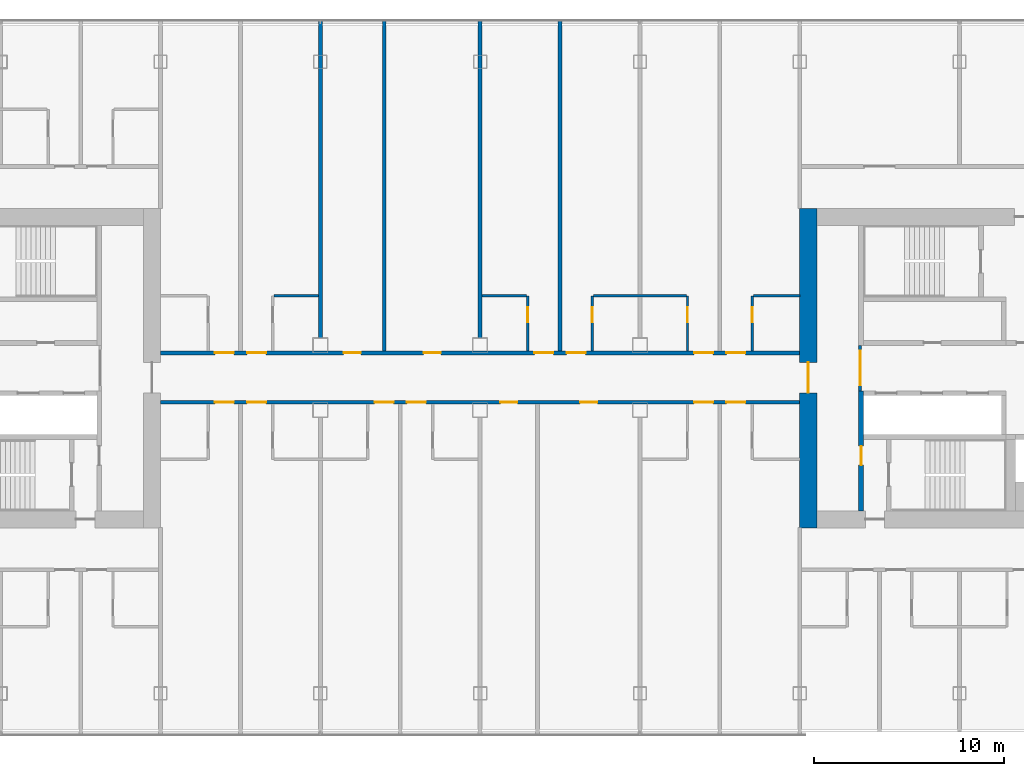
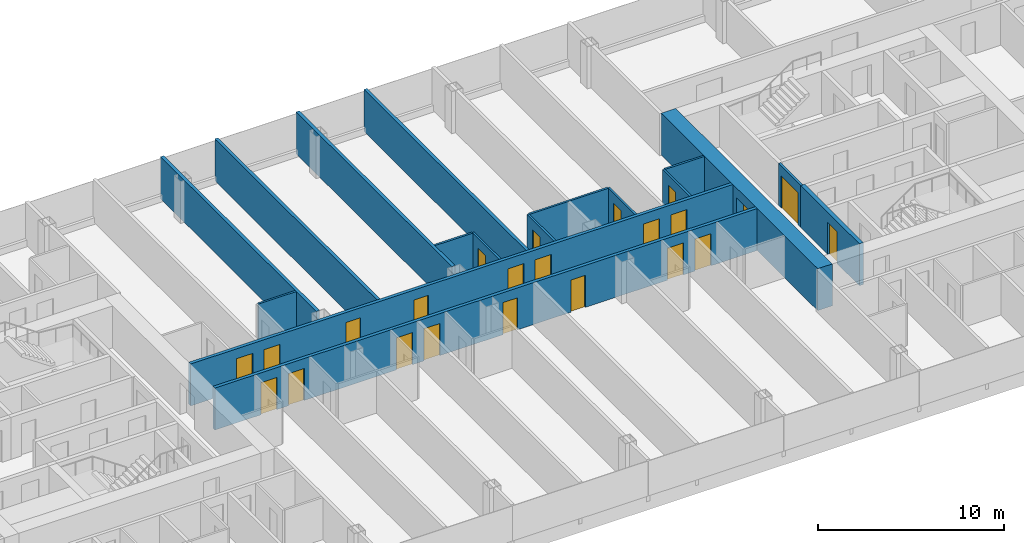
# One storey, part 15 of 27: 23 doors, 17 walls, 23 openings.
"""IFC4 building model written with IfcOpenShell, lengths in metres."""

from ifc_helpers import new_model, si_unit, direction, frame, frame_2d, origin, place, context, subcontext, project, spatial, rectangle, extrude, material, layer, layer_set, type_object, element, fill, save


model = new_model("IFC4")

# Units and contexts
model_context = context("Model", 3, precision=1e-05, world=origin(), true_north=direction((0.0, 1.0)))
body_context = subcontext(model_context, "Body", "Model", "MODEL_VIEW")
ifc_project = project(units=[si_unit("LENGTHUNIT", "METRE"), si_unit("AREAUNIT", "SQUARE_METRE"), si_unit("VOLUMEUNIT", "CUBIC_METRE"), si_unit("PLANEANGLEUNIT", "RADIAN"), si_unit("MASSUNIT", "GRAM", prefix="KILO")], contexts=[model_context])

# Site, building, storey
site_placement = place(None, origin())
site = spatial("IfcSite", under=ifc_project, at=site_placement, CompositionType="ELEMENT")
building_placement = place(site_placement, origin())
building = spatial("IfcBuilding", under=site, at=building_placement, Name="Hakoniwa Tower and Hamabe Station Hall", CompositionType="ELEMENT")
storey_placement = place(building_placement, frame((0.0, 0.0, 166.199951171875)))
storey = spatial("IfcBuildingStorey", under=building, at=storey_placement, Name="L47", CompositionType="ELEMENT", Elevation=166.199951171875)

# Walls
ifc_material_1 = material(Name="Gypsum board partition", Category="gypsum")
ifc_layer_1 = layer(ifc_material_1, 0.125)
ifc_layer_set_1 = layer_set([ifc_layer_1], Name="Bathroom Partition 125")
wall_type_1 = type_object("IfcWallType", Name="Bathroom Partition 125", PredefinedType="PARTITIONING", material=ifc_layer_set_1)
for number, where, z_axis, x_axis, name in (
    (1, (-10.83740234375, 3.800048828125, 0.0), (0.0, 0.0, 1.0), (1.0, 0.0, 0.0), "GW-L47-023"),
    (2, (0.10009765625, 3.800048828125, 0.0), (0.0, 0.0, 1.0), (1.0, 0.0, 0.0), "GW-L47-024"),
):
    element("IfcWall", number, at=place(storey_placement, frame(where, z_axis=z_axis, x_axis=x_axis)), inside=storey, type_object=wall_type_1, Name=name, PredefinedType="PARTITIONING", context=body_context, shape_type="SweptSolid", body=[
        extrude(rectangle(XDim=2.33740234375, YDim=0.125, at=frame_2d((1.168701171875, 0.0))), origin(), (0.0, 0.0, 1.0), 2.75),
    ])
wall_1_placement = place(storey_placement, frame((5.96240234375, 3.800048828125, 0.0), z_axis=(0.0, 0.0, 1.0), x_axis=(1.0, 0.0, 0.0)))
element("IfcWall", 3, at=wall_1_placement, inside=storey, type_object=wall_type_1, Name="GW-L47-025", PredefinedType="PARTITIONING", context=body_context, shape_type="SweptSolid", body=[
    extrude(rectangle(XDim=4.875, YDim=0.125, at=frame_2d((2.4375, 0.0))), origin(), (0.0, 0.0, 1.0), 2.75),
])
wall_2_placement = place(storey_placement, frame((14.362548828125, 3.800048828125, 0.0), z_axis=(0.0, 0.0, 1.0), x_axis=(1.0, 0.0, 0.0)))
element("IfcWall", 4, at=wall_2_placement, inside=storey, type_object=wall_type_1, Name="GW-L47-026", PredefinedType="PARTITIONING", context=body_context, shape_type="SweptSolid", body=[
    extrude(rectangle(XDim=2.447509765625, YDim=0.125, at=frame_2d((1.2236328125, 0.0))), origin(), (0.0, 0.0, 1.0), 2.75),
])

# Wall, opening, door
wall_3_placement = place(storey_placement, frame((2.5, 0.89990234375, 0.0), z_axis=(0.0, 0.0, 1.0), x_axis=(0.0, 1.0, 0.0)))
wall_3 = element("IfcWall", 5, at=wall_3_placement, inside=storey, type_object=wall_type_1, Name="GW-L47-076", PredefinedType="PARTITIONING", context=body_context, shape_type="SweptSolid", body=[
    extrude(rectangle(XDim=2.900146484375, YDim=0.125, at=frame_2d((1.4501953125, 0.0))), origin(), (0.0, 0.0, 1.0), 2.75),
])
opening_1_placement = place(wall_3_placement, frame((1.5, 0.0, 0.0)))
opening_1 = element("IfcOpeningElement", 6, at=opening_1_placement, cuts=wall_3, Name="Opening GD-G3B2-64", PredefinedType="OPENING", context=body_context, shape_type="SweptSolid", body=[
    extrude(rectangle(XDim=0.800048828125, YDim=2.10009765625, at=frame_2d((0.39990234375, 1.050048828125))), frame((0.0, 0.072509765625, 0.0), z_axis=(0.0, -1.0, 0.0), x_axis=(1.0, 0.0, 0.0)), (0.0, 0.0, 1.0), 0.14501953125),
])
ifc_material_2 = material(Name="Timber door leaf", Category="wood")
door_type_1 = type_object("IfcDoorType", Name="Bathroom Door 800", OperationType="SINGLE_SWING_LEFT", PredefinedType="DOOR", material=ifc_material_2)
door_1_placement = place(opening_1_placement, origin())
door_1 = element("IfcDoor", 7, at=door_1_placement, inside=storey, type_object=door_type_1, Name="Door GD-G3B2-64", OperationType="SINGLE_SWING_LEFT", OverallHeight=2.10009765625, OverallWidth=0.800048828125, PredefinedType="DOOR", context=body_context, shape_type="SweptSolid", body=[
    extrude(rectangle(XDim=0.800048828125, YDim=2.10009765625, at=frame_2d((0.39990234375, 1.050048828125))), frame((0.0, 0.02490234375, 0.0), z_axis=(0.0, -1.0, 0.0), x_axis=(1.0, 0.0, 0.0)), (0.0, 0.0, 1.0), 0.050048828125),
])
fill(opening_1, door_1)

wall_4_placement = place(storey_placement, frame((5.89990234375, 0.89990234375, 0.0), z_axis=(0.0, 0.0, 1.0), x_axis=(0.0, 1.0, 0.0)))
wall_4 = element("IfcWall", 8, at=wall_4_placement, inside=storey, type_object=wall_type_1, Name="GW-L47-079", PredefinedType="PARTITIONING", context=body_context, shape_type="SweptSolid", body=[
    extrude(rectangle(XDim=2.900146484375, YDim=0.125, at=frame_2d((1.4501953125, 0.0))), origin(), (0.0, 0.0, 1.0), 2.75),
])
opening_2_placement = place(wall_4_placement, frame((1.5, 0.0, 0.0)))
opening_2 = element("IfcOpeningElement", 9, at=opening_2_placement, cuts=wall_4, Name="Opening GD-G3B2-65", PredefinedType="OPENING", context=body_context, shape_type="SweptSolid", body=[
    extrude(rectangle(XDim=0.800048828125, YDim=2.10009765625, at=frame_2d((0.39990234375, 1.050048828125))), frame((0.0, 0.072509765625, 0.0), z_axis=(0.0, -1.0, 0.0), x_axis=(1.0, 0.0, 0.0)), (0.0, 0.0, 1.0), 0.14501953125),
])
door_2_placement = place(opening_2_placement, origin())
door_2 = element("IfcDoor", 10, at=door_2_placement, inside=storey, type_object=door_type_1, Name="Door GD-G3B2-65", OperationType="SINGLE_SWING_RIGHT", OverallHeight=2.10009765625, OverallWidth=0.800048828125, PredefinedType="DOOR", context=body_context, shape_type="SweptSolid", body=[
    extrude(rectangle(XDim=0.800048828125, YDim=2.10009765625, at=frame_2d((0.39990234375, 1.050048828125))), frame((0.0, 0.02490234375, 0.0), z_axis=(0.0, -1.0, 0.0), x_axis=(1.0, 0.0, 0.0)), (0.0, 0.0, 1.0), 0.050048828125),
])
fill(opening_2, door_2)

wall_5_placement = place(storey_placement, frame((10.89990234375, 0.89990234375, 0.0), z_axis=(0.0, 0.0, 1.0), x_axis=(0.0, 1.0, 0.0)))
wall_5 = element("IfcWall", 11, at=wall_5_placement, inside=storey, type_object=wall_type_1, Name="GW-L47-083", PredefinedType="PARTITIONING", context=body_context, shape_type="SweptSolid", body=[
    extrude(rectangle(XDim=2.900146484375, YDim=0.125, at=frame_2d((1.4501953125, 0.0))), origin(), (0.0, 0.0, 1.0), 2.75),
])
opening_3_placement = place(wall_5_placement, frame((1.5, 0.0, 0.0)))
opening_3 = element("IfcOpeningElement", 12, at=opening_3_placement, cuts=wall_5, Name="Opening GD-G3B2-67", PredefinedType="OPENING", context=body_context, shape_type="SweptSolid", body=[
    extrude(rectangle(XDim=0.800048828125, YDim=2.10009765625, at=frame_2d((0.39990234375, 1.050048828125))), frame((0.0, 0.072509765625, 0.0), z_axis=(0.0, -1.0, 0.0), x_axis=(1.0, 0.0, 0.0)), (0.0, 0.0, 1.0), 0.14501953125),
])
door_3_placement = place(opening_3_placement, origin())
door_3 = element("IfcDoor", 13, at=door_3_placement, inside=storey, type_object=door_type_1, Name="Door GD-G3B2-67", OperationType="SINGLE_SWING_LEFT", OverallHeight=2.10009765625, OverallWidth=0.800048828125, PredefinedType="DOOR", context=body_context, shape_type="SweptSolid", body=[
    extrude(rectangle(XDim=0.800048828125, YDim=2.10009765625, at=frame_2d((0.39990234375, 1.050048828125))), frame((0.0, 0.02490234375, 0.0), z_axis=(0.0, -1.0, 0.0), x_axis=(1.0, 0.0, 0.0)), (0.0, 0.0, 1.0), 0.050048828125),
])
fill(opening_3, door_3)

wall_6_placement = place(storey_placement, frame((14.300048828125, 0.89990234375, 0.0), z_axis=(0.0, 0.0, 1.0), x_axis=(0.0, 1.0, 0.0)))
wall_6 = element("IfcWall", 14, at=wall_6_placement, inside=storey, type_object=wall_type_1, Name="GW-L47-087", PredefinedType="PARTITIONING", context=body_context, shape_type="SweptSolid", body=[
    extrude(rectangle(XDim=2.900146484375, YDim=0.125, at=frame_2d((1.4501953125, 0.0))), origin(), (0.0, 0.0, 1.0), 2.75),
])
opening_4_placement = place(wall_6_placement, frame((1.5, 0.0, 0.0)))
opening_4 = element("IfcOpeningElement", 15, at=opening_4_placement, cuts=wall_6, Name="Opening GD-G3B2-69", PredefinedType="OPENING", context=body_context, shape_type="SweptSolid", body=[
    extrude(rectangle(XDim=0.800048828125, YDim=2.10009765625, at=frame_2d((0.39990234375, 1.050048828125))), frame((0.0, 0.072509765625, 0.0), z_axis=(0.0, -1.0, 0.0), x_axis=(1.0, 0.0, 0.0)), (0.0, 0.0, 1.0), 0.14501953125),
])
door_4_placement = place(opening_4_placement, origin())
door_4 = element("IfcDoor", 16, at=door_4_placement, inside=storey, type_object=door_type_1, Name="Door GD-G3B2-69", OperationType="SINGLE_SWING_RIGHT", OverallHeight=2.10009765625, OverallWidth=0.800048828125, PredefinedType="DOOR", context=body_context, shape_type="SweptSolid", body=[
    extrude(rectangle(XDim=0.800048828125, YDim=2.10009765625, at=frame_2d((0.39990234375, 1.050048828125))), frame((0.0, 0.02490234375, 0.0), z_axis=(0.0, -1.0, 0.0), x_axis=(1.0, 0.0, 0.0)), (0.0, 0.0, 1.0), 0.050048828125),
])
fill(opening_4, door_4)

ifc_material_3 = material(Name="Gypsum board partition")
ifc_layer_2 = layer(ifc_material_3, 0.14990234375)
ifc_layer_set_2 = layer_set([ifc_layer_2], Name="CORE PARTITION 150 EI 60")
wall_type_2 = type_object("IfcWallType", Name="CORE PARTITION 150 EI 60", PredefinedType="PARTITIONING", material=ifc_layer_set_2)
wall_7_placement = place(storey_placement, frame((19.97509765625, -1.199951171875, 0.0), z_axis=(0.0, 0.0, 1.0), x_axis=(0.0, 1.0, 0.0)))
wall_7 = element("IfcWall", 17, at=wall_7_placement, inside=storey, type_object=wall_type_2, Name="Core partition PL0 east", PredefinedType="PARTITIONING", context=body_context, shape_type="SweptSolid", body=[
    extrude(rectangle(XDim=2.39990234375, YDim=0.14990234375, at=frame_2d((1.199951171875, 0.0))), origin(), (0.0, 0.0, 1.0), 2.75),
])
opening_5_placement = place(wall_7_placement, frame((0.300048828125, 0.0, 0.0)))
opening_5 = element("IfcOpeningElement", 18, at=opening_5_placement, cuts=wall_7, Name="Opening CD-E-LP0-18", PredefinedType="OPENING", context=body_context, shape_type="SweptSolid", body=[
    extrude(rectangle(XDim=1.800048828125, YDim=2.10009765625, at=frame_2d((0.89990234375, 1.050048828125))), frame((0.0, 0.0849609375, 0.0), z_axis=(0.0, -1.0, 0.0), x_axis=(1.0, 0.0, 0.0)), (0.0, 0.0, 1.0), 0.169921875),
])
ifc_material_4 = material(Name="Steel fire door", Category="steel")
door_type_2 = type_object("IfcDoorType", Name="CORE DOOR 1800 FD60", OperationType="DOUBLE_DOOR_SINGLE_SWING", PredefinedType="DOOR", material=ifc_material_4)
door_5_placement = place(opening_5_placement, origin())
door_5 = element("IfcDoor", 19, at=door_5_placement, inside=storey, type_object=door_type_2, Name="Lift lobby partition door", OperationType="DOUBLE_DOOR_SINGLE_SWING", OverallHeight=2.10009765625, OverallWidth=1.800048828125, PredefinedType="DOOR", context=body_context, shape_type="SweptSolid", body=[
    extrude(rectangle(XDim=1.800048828125, YDim=2.10009765625, at=frame_2d((0.89990234375, 1.050048828125))), frame((0.0, 0.02490234375, 0.0), z_axis=(0.0, -1.0, 0.0), x_axis=(1.0, 0.0, 0.0)), (0.0, 0.0, 1.0), 0.050048828125),
])
fill(opening_5, door_5)

ifc_material_5 = material(Name="Concrete C66", Category="concrete")
ifc_layer_3 = layer(ifc_material_5, 0.89990234375)
ifc_layer_set_3 = layer_set([ifc_layer_3], Name="CORE WALL 900 C66")
wall_type_3 = type_object("IfcWallType", Name="CORE WALL 900 C66", PredefinedType="SHEAR", material=ifc_layer_set_3)
wall_8_placement = place(storey_placement, frame((17.25, -8.39990234375, 0.0), z_axis=(0.0, 0.0, 1.0), x_axis=(0.0, 1.0, 0.0)))
wall_8 = element("IfcWall", 20, at=wall_8_placement, inside=storey, type_object=wall_type_3, Name="Core wall INNER east", PredefinedType="SHEAR", context=body_context, shape_type="SweptSolid", body=[
    extrude(rectangle(XDim=16.7998046875, YDim=0.89990234375, at=frame_2d((8.39990234375, 0.0))), origin(), (0.0, 0.0, 1.0), 2.75),
])
opening_6_placement = place(wall_8_placement, frame((7.10009765625, 0.0, 0.0)))
opening_6 = element("IfcOpeningElement", 21, at=opening_6_placement, cuts=wall_8, Name="Opening CD-E-IN1-16", PredefinedType="OPENING", context=body_context, shape_type="SweptSolid", body=[
    extrude(rectangle(XDim=1.60009765625, YDim=2.10009765625, at=frame_2d((0.800048828125, 1.050048828125))), frame((0.0, 0.4599609375, 0.0), z_axis=(0.0, -1.0, 0.0), x_axis=(1.0, 0.0, 0.0)), (0.0, 0.0, 1.0), 0.919921875),
])
ifc_material_6 = material(Name="Steel fire door", Category="steel")
door_type_3 = type_object("IfcDoorType", Name="CORE DOOR 1600 FD60", OperationType="DOUBLE_DOOR_SINGLE_SWING", PredefinedType="DOOR", material=ifc_material_6)
door_6_placement = place(opening_6_placement, origin())
door_6 = element("IfcDoor", 22, at=door_6_placement, inside=storey, type_object=door_type_3, Name="Lift lobby door", OperationType="DOUBLE_DOOR_SINGLE_SWING", OverallHeight=2.10009765625, OverallWidth=1.60009765625, PredefinedType="DOOR", context=body_context, shape_type="SweptSolid", body=[
    extrude(rectangle(XDim=1.60009765625, YDim=2.10009765625, at=frame_2d((0.800048828125, 1.050048828125))), frame((0.0, 0.02490234375, 0.0), z_axis=(0.0, -1.0, 0.0), x_axis=(1.0, 0.0, 0.0)), (0.0, 0.0, 1.0), 0.050048828125),
])
fill(opening_6, door_6)

ifc_material_7 = material(Name="Concrete C66", Category="concrete")
ifc_layer_4 = layer(ifc_material_7, 0.25)
ifc_layer_set_4 = layer_set([ifc_layer_4], Name="CORE WEB WALL 250 C66")
wall_type_4 = type_object("IfcWallType", Name="CORE WEB WALL 250 C66", PredefinedType="SHEAR", material=ifc_layer_set_4)
wall_9_placement = place(storey_placement, frame((20.02490234375, -7.5, 0.0), z_axis=(0.0, 0.0, 1.0), x_axis=(0.0, 1.0, 0.0)))
wall_9 = element("IfcWall", 23, at=wall_9_placement, inside=storey, type_object=wall_type_4, Name="Core wall W1S east", PredefinedType="SHEAR", context=body_context, shape_type="SweptSolid", body=[
    extrude(rectangle(XDim=6.300048828125, YDim=0.25, at=frame_2d((3.14990234375, 0.0))), origin(), (0.0, 0.0, 1.0), 2.75),
])
opening_7_placement = place(wall_9_placement, frame((2.39990234375, 0.0, 0.0)))
opening_7 = element("IfcOpeningElement", 24, at=opening_7_placement, cuts=wall_9, Name="Opening CD-E-VS-10", PredefinedType="OPENING", context=body_context, shape_type="SweptSolid", body=[
    extrude(rectangle(XDim=1.0, YDim=2.10009765625, at=frame_2d((0.5, 1.050048828125))), frame((0.0, 0.135009765625, 0.0), z_axis=(0.0, -1.0, 0.0), x_axis=(1.0, 0.0, 0.0)), (0.0, 0.0, 1.0), 0.27001953125),
])
ifc_material_8 = material(Name="Steel fire door", Category="steel")
door_type_4 = type_object("IfcDoorType", Name="CORE DOOR 1000 FD60", OperationType="NOTDEFINED", PredefinedType="DOOR", material=ifc_material_8)
door_7_placement = place(opening_7_placement, origin())
door_7 = element("IfcDoor", 25, at=door_7_placement, inside=storey, type_object=door_type_4, Name="Stair vestibule door", OperationType="SINGLE_SWING_RIGHT", OverallHeight=2.10009765625, OverallWidth=1.0, PredefinedType="DOOR", context=body_context, shape_type="SweptSolid", body=[
    extrude(rectangle(XDim=1.0, YDim=2.10009765625, at=frame_2d((0.5, 1.050048828125))), frame((0.0, 0.02490234375, 0.0), z_axis=(0.0, -1.0, 0.0), x_axis=(1.0, 0.0, 0.0)), (0.0, 0.0, 1.0), 0.050048828125),
])
fill(opening_7, door_7)

# Wall, openings, doors
ifc_material_9 = material(Name="Fire-rated gypsum board partition", Category="gypsum")
ifc_layer_5 = layer(ifc_material_9, 0.199951171875)
ifc_layer_set_5 = layer_set([ifc_layer_5], Name="Corridor Wall 200")
wall_type_5 = type_object("IfcWallType", Name="Corridor Wall 200", PredefinedType="PARTITIONING", material=ifc_layer_set_5)
wall_10_placement = place(storey_placement, frame((-16.800048828125, -1.800048828125, 0.0), z_axis=(0.0, 0.0, 1.0), x_axis=(1.0, 0.0, 0.0)))
wall_10 = element("IfcWall", 26, at=wall_10_placement, inside=storey, type_object=wall_type_5, Name="GW-L47-018", PredefinedType="PARTITIONING", context=body_context, shape_type="SweptSolid", body=[
    extrude(rectangle(XDim=33.60009765625, YDim=0.199951171875, at=frame_2d((16.800048828125, 0.0))), origin(), (0.0, 0.0, 1.0), 2.75),
])
opening_8_placement = place(wall_10_placement, frame((2.85009765625, 0.0, 0.0)))
opening_8 = element("IfcOpeningElement", 27, at=opening_8_placement, cuts=wall_10, Name="Opening GD-G3B2-17", PredefinedType="OPENING", context=body_context, shape_type="SweptSolid", body=[
    extrude(rectangle(XDim=1.0, YDim=2.10009765625, at=frame_2d((0.5, 1.050048828125))), frame((0.0, 0.10986328125, 0.0), z_axis=(0.0, -1.0, 0.0), x_axis=(1.0, 0.0, 0.0)), (0.0, 0.0, 1.0), 0.219970703125),
])
opening_9_placement = place(wall_10_placement, frame((4.550048828125, 0.0, 0.0)))
opening_9 = element("IfcOpeningElement", 28, at=opening_9_placement, cuts=wall_10, Name="Opening GD-G3B2-18", PredefinedType="OPENING", context=body_context, shape_type="SweptSolid", body=[
    extrude(rectangle(XDim=1.0, YDim=2.10009765625, at=frame_2d((0.5, 1.050048828125))), frame((0.0, 0.10986328125, 0.0), z_axis=(0.0, -1.0, 0.0), x_axis=(1.0, 0.0, 0.0)), (0.0, 0.0, 1.0), 0.219970703125),
])
opening_10_placement = place(wall_10_placement, frame((11.25, 0.0, 0.0)))
opening_10 = element("IfcOpeningElement", 29, at=opening_10_placement, cuts=wall_10, Name="Opening GD-G3B2-19", PredefinedType="OPENING", context=body_context, shape_type="SweptSolid", body=[
    extrude(rectangle(XDim=1.0, YDim=2.10009765625, at=frame_2d((0.5, 1.050048828125))), frame((0.0, 0.10986328125, 0.0), z_axis=(0.0, -1.0, 0.0), x_axis=(1.0, 0.0, 0.0)), (0.0, 0.0, 1.0), 0.219970703125),
])
opening_11_placement = place(wall_10_placement, frame((12.949951171875, 0.0, 0.0)))
opening_11 = element("IfcOpeningElement", 30, at=opening_11_placement, cuts=wall_10, Name="Opening GD-G3B2-20", PredefinedType="OPENING", context=body_context, shape_type="SweptSolid", body=[
    extrude(rectangle(XDim=1.0, YDim=2.10009765625, at=frame_2d((0.5, 1.050048828125))), frame((0.0, 0.10986328125, 0.0), z_axis=(0.0, -1.0, 0.0), x_axis=(1.0, 0.0, 0.0)), (0.0, 0.0, 1.0), 0.219970703125),
])
opening_12_placement = place(wall_10_placement, frame((17.860107421875, 0.0, 0.0)))
opening_12 = element("IfcOpeningElement", 31, at=opening_12_placement, cuts=wall_10, Name="Opening GD-G3B2-21", PredefinedType="OPENING", context=body_context, shape_type="SweptSolid", body=[
    extrude(rectangle(XDim=0.89990234375, YDim=2.10009765625, at=frame_2d((0.449951171875, 1.050048828125))), frame((0.0, 0.10986328125, 0.0), z_axis=(0.0, -1.0, 0.0), x_axis=(1.0, 0.0, 0.0)), (0.0, 0.0, 1.0), 0.219970703125),
])
opening_13_placement = place(wall_10_placement, frame((22.06005859375, 0.0, 0.0)))
opening_13 = element("IfcOpeningElement", 32, at=opening_13_placement, cuts=wall_10, Name="Opening GD-G3B2-22", PredefinedType="OPENING", context=body_context, shape_type="SweptSolid", body=[
    extrude(rectangle(XDim=0.89990234375, YDim=2.10009765625, at=frame_2d((0.449951171875, 1.050048828125))), frame((0.0, 0.10986328125, 0.0), z_axis=(0.0, -1.0, 0.0), x_axis=(1.0, 0.0, 0.0)), (0.0, 0.0, 1.0), 0.219970703125),
])
opening_14_placement = place(wall_10_placement, frame((28.050048828125, 0.0, 0.0)))
opening_14 = element("IfcOpeningElement", 33, at=opening_14_placement, cuts=wall_10, Name="Opening GD-G3B2-23", PredefinedType="OPENING", context=body_context, shape_type="SweptSolid", body=[
    extrude(rectangle(XDim=1.0, YDim=2.10009765625, at=frame_2d((0.5, 1.050048828125))), frame((0.0, 0.10986328125, 0.0), z_axis=(0.0, -1.0, 0.0), x_axis=(1.0, 0.0, 0.0)), (0.0, 0.0, 1.0), 0.219970703125),
])
opening_15_placement = place(wall_10_placement, frame((29.75, 0.0, 0.0)))
opening_15 = element("IfcOpeningElement", 34, at=opening_15_placement, cuts=wall_10, Name="Opening GD-G3B2-24", PredefinedType="OPENING", context=body_context, shape_type="SweptSolid", body=[
    extrude(rectangle(XDim=1.0, YDim=2.10009765625, at=frame_2d((0.5, 1.050048828125))), frame((0.0, 0.10986328125, 0.0), z_axis=(0.0, -1.0, 0.0), x_axis=(1.0, 0.0, 0.0)), (0.0, 0.0, 1.0), 0.219970703125),
])
ifc_material_10 = material(Name="Timber door leaf", Category="wood")
door_type_5 = type_object("IfcDoorType", Name="Guest Entrance Door 1000", OperationType="SINGLE_SWING_LEFT", PredefinedType="DOOR", material=ifc_material_10)
door_8_placement = place(opening_8_placement, origin())
door_8 = element("IfcDoor", 35, at=door_8_placement, inside=storey, type_object=door_type_5, Name="Door GD-G3B2-17", OperationType="SINGLE_SWING_RIGHT", OverallHeight=2.10009765625, OverallWidth=1.0, PredefinedType="DOOR", context=body_context, shape_type="SweptSolid", body=[
    extrude(rectangle(XDim=1.0, YDim=2.10009765625, at=frame_2d((0.5, 1.050048828125))), frame((0.0, 0.02490234375, 0.0), z_axis=(0.0, -1.0, 0.0), x_axis=(1.0, 0.0, 0.0)), (0.0, 0.0, 1.0), 0.050048828125),
])
fill(opening_8, door_8)
door_9_placement = place(opening_9_placement, origin())
door_9 = element("IfcDoor", 36, at=door_9_placement, inside=storey, type_object=door_type_5, Name="Door GD-G3B2-18", OperationType="SINGLE_SWING_LEFT", OverallHeight=2.10009765625, OverallWidth=1.0, PredefinedType="DOOR", context=body_context, shape_type="SweptSolid", body=[
    extrude(rectangle(XDim=1.0, YDim=2.10009765625, at=frame_2d((0.5, 1.050048828125))), frame((0.0, 0.02490234375, 0.0), z_axis=(0.0, -1.0, 0.0), x_axis=(1.0, 0.0, 0.0)), (0.0, 0.0, 1.0), 0.050048828125),
])
fill(opening_9, door_9)
door_10_placement = place(opening_10_placement, origin())
door_10 = element("IfcDoor", 37, at=door_10_placement, inside=storey, type_object=door_type_5, Name="Door GD-G3B2-19", OperationType="SINGLE_SWING_RIGHT", OverallHeight=2.10009765625, OverallWidth=1.0, PredefinedType="DOOR", context=body_context, shape_type="SweptSolid", body=[
    extrude(rectangle(XDim=1.0, YDim=2.10009765625, at=frame_2d((0.5, 1.050048828125))), frame((0.0, 0.02490234375, 0.0), z_axis=(0.0, -1.0, 0.0), x_axis=(1.0, 0.0, 0.0)), (0.0, 0.0, 1.0), 0.050048828125),
])
fill(opening_10, door_10)
door_11_placement = place(opening_11_placement, origin())
door_11 = element("IfcDoor", 38, at=door_11_placement, inside=storey, type_object=door_type_5, Name="Door GD-G3B2-20", OperationType="SINGLE_SWING_RIGHT", OverallHeight=2.10009765625, OverallWidth=1.0, PredefinedType="DOOR", context=body_context, shape_type="SweptSolid", body=[
    extrude(rectangle(XDim=1.0, YDim=2.10009765625, at=frame_2d((0.5, 1.050048828125))), frame((0.0, 0.02490234375, 0.0), z_axis=(0.0, -1.0, 0.0), x_axis=(1.0, 0.0, 0.0)), (0.0, 0.0, 1.0), 0.050048828125),
])
fill(opening_11, door_11)
door_12_placement = place(opening_14_placement, origin())
door_12 = element("IfcDoor", 39, at=door_12_placement, inside=storey, type_object=door_type_5, Name="Door GD-G3B2-23", OperationType="SINGLE_SWING_LEFT", OverallHeight=2.10009765625, OverallWidth=1.0, PredefinedType="DOOR", context=body_context, shape_type="SweptSolid", body=[
    extrude(rectangle(XDim=1.0, YDim=2.10009765625, at=frame_2d((0.5, 1.050048828125))), frame((0.0, 0.02490234375, 0.0), z_axis=(0.0, -1.0, 0.0), x_axis=(1.0, 0.0, 0.0)), (0.0, 0.0, 1.0), 0.050048828125),
])
fill(opening_14, door_12)
door_13_placement = place(opening_15_placement, origin())
door_13 = element("IfcDoor", 40, at=door_13_placement, inside=storey, type_object=door_type_5, Name="Door GD-G3B2-24", OperationType="SINGLE_SWING_RIGHT", OverallHeight=2.10009765625, OverallWidth=1.0, PredefinedType="DOOR", context=body_context, shape_type="SweptSolid", body=[
    extrude(rectangle(XDim=1.0, YDim=2.10009765625, at=frame_2d((0.5, 1.050048828125))), frame((0.0, 0.02490234375, 0.0), z_axis=(0.0, -1.0, 0.0), x_axis=(1.0, 0.0, 0.0)), (0.0, 0.0, 1.0), 0.050048828125),
])
fill(opening_15, door_13)
ifc_material_11 = material(Name="Timber door leaf", Category="wood")
door_type_6 = type_object("IfcDoorType", Name="Service Door 900", OperationType="SINGLE_SWING_LEFT", PredefinedType="DOOR", material=ifc_material_11)
door_14_placement = place(opening_12_placement, origin())
door_14 = element("IfcDoor", 41, at=door_14_placement, inside=storey, type_object=door_type_6, Name="Door GD-G3B2-21", OperationType="SINGLE_SWING_RIGHT", OverallHeight=2.10009765625, OverallWidth=0.89990234375, PredefinedType="DOOR", context=body_context, shape_type="SweptSolid", body=[
    extrude(rectangle(XDim=0.89990234375, YDim=2.10009765625, at=frame_2d((0.449951171875, 1.050048828125))), frame((0.0, 0.02490234375, 0.0), z_axis=(0.0, -1.0, 0.0), x_axis=(1.0, 0.0, 0.0)), (0.0, 0.0, 1.0), 0.050048828125),
])
fill(opening_12, door_14)
door_15_placement = place(opening_13_placement, origin())
door_15 = element("IfcDoor", 42, at=door_15_placement, inside=storey, type_object=door_type_6, Name="Door GD-G3B2-22", OperationType="SINGLE_SWING_RIGHT", OverallHeight=2.10009765625, OverallWidth=0.89990234375, PredefinedType="DOOR", context=body_context, shape_type="SweptSolid", body=[
    extrude(rectangle(XDim=0.89990234375, YDim=2.10009765625, at=frame_2d((0.449951171875, 1.050048828125))), frame((0.0, 0.02490234375, 0.0), z_axis=(0.0, -1.0, 0.0), x_axis=(1.0, 0.0, 0.0)), (0.0, 0.0, 1.0), 0.050048828125),
])
fill(opening_13, door_15)

wall_11_placement = place(storey_placement, frame((-16.800048828125, 0.800048828125, 0.0), z_axis=(0.0, 0.0, 1.0), x_axis=(1.0, 0.0, 0.0)))
wall_11 = element("IfcWall", 43, at=wall_11_placement, inside=storey, type_object=wall_type_5, Name="GW-L47-021", PredefinedType="PARTITIONING", context=body_context, shape_type="SweptSolid", body=[
    extrude(rectangle(XDim=33.60009765625, YDim=0.199951171875, at=frame_2d((16.800048828125, 0.0))), origin(), (0.0, 0.0, 1.0), 2.75),
])
opening_16_placement = place(wall_11_placement, frame((2.85009765625, 0.0, 0.0)))
opening_16 = element("IfcOpeningElement", 44, at=opening_16_placement, cuts=wall_11, Name="Opening GD-G3B2-25", PredefinedType="OPENING", context=body_context, shape_type="SweptSolid", body=[
    extrude(rectangle(XDim=1.0, YDim=2.10009765625, at=frame_2d((0.5, 1.050048828125))), frame((0.0, 0.10986328125, 0.0), z_axis=(0.0, -1.0, 0.0), x_axis=(1.0, 0.0, 0.0)), (0.0, 0.0, 1.0), 0.219970703125),
])
opening_17_placement = place(wall_11_placement, frame((4.550048828125, 0.0, 0.0)))
opening_17 = element("IfcOpeningElement", 45, at=opening_17_placement, cuts=wall_11, Name="Opening GD-G3B2-26", PredefinedType="OPENING", context=body_context, shape_type="SweptSolid", body=[
    extrude(rectangle(XDim=1.0, YDim=2.10009765625, at=frame_2d((0.5, 1.050048828125))), frame((0.0, 0.10986328125, 0.0), z_axis=(0.0, -1.0, 0.0), x_axis=(1.0, 0.0, 0.0)), (0.0, 0.0, 1.0), 0.219970703125),
])
opening_18_placement = place(wall_11_placement, frame((9.6298828125, 0.0, 0.0)))
opening_18 = element("IfcOpeningElement", 46, at=opening_18_placement, cuts=wall_11, Name="Opening GD-G3B2-27", PredefinedType="OPENING", context=body_context, shape_type="SweptSolid", body=[
    extrude(rectangle(XDim=0.89990234375, YDim=2.10009765625, at=frame_2d((0.449951171875, 1.050048828125))), frame((0.0, 0.10986328125, 0.0), z_axis=(0.0, -1.0, 0.0), x_axis=(1.0, 0.0, 0.0)), (0.0, 0.0, 1.0), 0.219970703125),
])
opening_19_placement = place(wall_11_placement, frame((13.830078125, 0.0, 0.0)))
opening_19 = element("IfcOpeningElement", 47, at=opening_19_placement, cuts=wall_11, Name="Opening GD-G3B2-28", PredefinedType="OPENING", context=body_context, shape_type="SweptSolid", body=[
    extrude(rectangle(XDim=0.89990234375, YDim=2.10009765625, at=frame_2d((0.449951171875, 1.050048828125))), frame((0.0, 0.10986328125, 0.0), z_axis=(0.0, -1.0, 0.0), x_axis=(1.0, 0.0, 0.0)), (0.0, 0.0, 1.0), 0.219970703125),
])
opening_20_placement = place(wall_11_placement, frame((19.64990234375, 0.0, 0.0)))
opening_20 = element("IfcOpeningElement", 48, at=opening_20_placement, cuts=wall_11, Name="Opening GD-G3B2-29", PredefinedType="OPENING", context=body_context, shape_type="SweptSolid", body=[
    extrude(rectangle(XDim=1.0, YDim=2.10009765625, at=frame_2d((0.5, 1.050048828125))), frame((0.0, 0.10986328125, 0.0), z_axis=(0.0, -1.0, 0.0), x_axis=(1.0, 0.0, 0.0)), (0.0, 0.0, 1.0), 0.219970703125),
])
opening_21_placement = place(wall_11_placement, frame((21.35009765625, 0.0, 0.0)))
opening_21 = element("IfcOpeningElement", 49, at=opening_21_placement, cuts=wall_11, Name="Opening GD-G3B2-30", PredefinedType="OPENING", context=body_context, shape_type="SweptSolid", body=[
    extrude(rectangle(XDim=1.0, YDim=2.10009765625, at=frame_2d((0.5, 1.050048828125))), frame((0.0, 0.10986328125, 0.0), z_axis=(0.0, -1.0, 0.0), x_axis=(1.0, 0.0, 0.0)), (0.0, 0.0, 1.0), 0.219970703125),
])
opening_22_placement = place(wall_11_placement, frame((28.050048828125, 0.0, 0.0)))
opening_22 = element("IfcOpeningElement", 50, at=opening_22_placement, cuts=wall_11, Name="Opening GD-G3B2-31", PredefinedType="OPENING", context=body_context, shape_type="SweptSolid", body=[
    extrude(rectangle(XDim=1.0, YDim=2.10009765625, at=frame_2d((0.5, 1.050048828125))), frame((0.0, 0.10986328125, 0.0), z_axis=(0.0, -1.0, 0.0), x_axis=(1.0, 0.0, 0.0)), (0.0, 0.0, 1.0), 0.219970703125),
])
opening_23_placement = place(wall_11_placement, frame((29.75, 0.0, 0.0)))
opening_23 = element("IfcOpeningElement", 51, at=opening_23_placement, cuts=wall_11, Name="Opening GD-G3B2-32", PredefinedType="OPENING", context=body_context, shape_type="SweptSolid", body=[
    extrude(rectangle(XDim=1.0, YDim=2.10009765625, at=frame_2d((0.5, 1.050048828125))), frame((0.0, 0.10986328125, 0.0), z_axis=(0.0, -1.0, 0.0), x_axis=(1.0, 0.0, 0.0)), (0.0, 0.0, 1.0), 0.219970703125),
])
door_16_placement = place(opening_16_placement, origin())
door_16 = element("IfcDoor", 52, at=door_16_placement, inside=storey, type_object=door_type_5, Name="Door GD-G3B2-25", OperationType="SINGLE_SWING_RIGHT", OverallHeight=2.10009765625, OverallWidth=1.0, PredefinedType="DOOR", context=body_context, shape_type="SweptSolid", body=[
    extrude(rectangle(XDim=1.0, YDim=2.10009765625, at=frame_2d((0.5, 1.050048828125))), frame((0.0, 0.02490234375, 0.0), z_axis=(0.0, -1.0, 0.0), x_axis=(1.0, 0.0, 0.0)), (0.0, 0.0, 1.0), 0.050048828125),
])
fill(opening_16, door_16)
door_17_placement = place(opening_17_placement, origin())
door_17 = element("IfcDoor", 53, at=door_17_placement, inside=storey, type_object=door_type_5, Name="Door GD-G3B2-26", OperationType="SINGLE_SWING_LEFT", OverallHeight=2.10009765625, OverallWidth=1.0, PredefinedType="DOOR", context=body_context, shape_type="SweptSolid", body=[
    extrude(rectangle(XDim=1.0, YDim=2.10009765625, at=frame_2d((0.5, 1.050048828125))), frame((0.0, 0.02490234375, 0.0), z_axis=(0.0, -1.0, 0.0), x_axis=(1.0, 0.0, 0.0)), (0.0, 0.0, 1.0), 0.050048828125),
])
fill(opening_17, door_17)
door_18_placement = place(opening_20_placement, origin())
door_18 = element("IfcDoor", 54, at=door_18_placement, inside=storey, type_object=door_type_5, Name="Door GD-G3B2-29", OperationType="SINGLE_SWING_RIGHT", OverallHeight=2.10009765625, OverallWidth=1.0, PredefinedType="DOOR", context=body_context, shape_type="SweptSolid", body=[
    extrude(rectangle(XDim=1.0, YDim=2.10009765625, at=frame_2d((0.5, 1.050048828125))), frame((0.0, 0.02490234375, 0.0), z_axis=(0.0, -1.0, 0.0), x_axis=(1.0, 0.0, 0.0)), (0.0, 0.0, 1.0), 0.050048828125),
])
fill(opening_20, door_18)
door_19_placement = place(opening_21_placement, origin())
door_19 = element("IfcDoor", 55, at=door_19_placement, inside=storey, type_object=door_type_5, Name="Door GD-G3B2-30", OperationType="SINGLE_SWING_RIGHT", OverallHeight=2.10009765625, OverallWidth=1.0, PredefinedType="DOOR", context=body_context, shape_type="SweptSolid", body=[
    extrude(rectangle(XDim=1.0, YDim=2.10009765625, at=frame_2d((0.5, 1.050048828125))), frame((0.0, 0.02490234375, 0.0), z_axis=(0.0, -1.0, 0.0), x_axis=(1.0, 0.0, 0.0)), (0.0, 0.0, 1.0), 0.050048828125),
])
fill(opening_21, door_19)
door_20_placement = place(opening_22_placement, origin())
door_20 = element("IfcDoor", 56, at=door_20_placement, inside=storey, type_object=door_type_5, Name="Door GD-G3B2-31", OperationType="SINGLE_SWING_LEFT", OverallHeight=2.10009765625, OverallWidth=1.0, PredefinedType="DOOR", context=body_context, shape_type="SweptSolid", body=[
    extrude(rectangle(XDim=1.0, YDim=2.10009765625, at=frame_2d((0.5, 1.050048828125))), frame((0.0, 0.02490234375, 0.0), z_axis=(0.0, -1.0, 0.0), x_axis=(1.0, 0.0, 0.0)), (0.0, 0.0, 1.0), 0.050048828125),
])
fill(opening_22, door_20)
door_21_placement = place(opening_23_placement, origin())
door_21 = element("IfcDoor", 57, at=door_21_placement, inside=storey, type_object=door_type_5, Name="Door GD-G3B2-32", OperationType="SINGLE_SWING_RIGHT", OverallHeight=2.10009765625, OverallWidth=1.0, PredefinedType="DOOR", context=body_context, shape_type="SweptSolid", body=[
    extrude(rectangle(XDim=1.0, YDim=2.10009765625, at=frame_2d((0.5, 1.050048828125))), frame((0.0, 0.02490234375, 0.0), z_axis=(0.0, -1.0, 0.0), x_axis=(1.0, 0.0, 0.0)), (0.0, 0.0, 1.0), 0.050048828125),
])
fill(opening_23, door_21)
door_22_placement = place(opening_18_placement, origin())
door_22 = element("IfcDoor", 58, at=door_22_placement, inside=storey, type_object=door_type_6, Name="Door GD-G3B2-27", OperationType="SINGLE_SWING_LEFT", OverallHeight=2.10009765625, OverallWidth=0.89990234375, PredefinedType="DOOR", context=body_context, shape_type="SweptSolid", body=[
    extrude(rectangle(XDim=0.89990234375, YDim=2.10009765625, at=frame_2d((0.449951171875, 1.050048828125))), frame((0.0, 0.02490234375, 0.0), z_axis=(0.0, -1.0, 0.0), x_axis=(1.0, 0.0, 0.0)), (0.0, 0.0, 1.0), 0.050048828125),
])
fill(opening_18, door_22)
door_23_placement = place(opening_19_placement, origin())
door_23 = element("IfcDoor", 59, at=door_23_placement, inside=storey, type_object=door_type_6, Name="Door GD-G3B2-28", OperationType="SINGLE_SWING_LEFT", OverallHeight=2.10009765625, OverallWidth=0.89990234375, PredefinedType="DOOR", context=body_context, shape_type="SweptSolid", body=[
    extrude(rectangle(XDim=0.89990234375, YDim=2.10009765625, at=frame_2d((0.449951171875, 1.050048828125))), frame((0.0, 0.02490234375, 0.0), z_axis=(0.0, -1.0, 0.0), x_axis=(1.0, 0.0, 0.0)), (0.0, 0.0, 1.0), 0.050048828125),
])
fill(opening_19, door_23)

# Walls
ifc_material_12 = material(Name="Fire-rated gypsum board partition", Category="gypsum")
ifc_layer_6 = layer(ifc_material_12, 0.199951171875)
ifc_layer_set_6 = layer_set([ifc_layer_6], Name="Party Wall 200")
wall_type_6 = type_object("IfcWallType", Name="Party Wall 200", PredefinedType="PARTITIONING", material=ifc_layer_set_6)
wall_12_placement = place(storey_placement, frame((-8.39990234375, 1.590087890625, 0.0), z_axis=(0.0, 0.0, 1.0), x_axis=(0.0, 1.0, 0.0)))
element("IfcWall", 60, at=wall_12_placement, inside=storey, type_object=wall_type_6, Name="GW-L47-069", PredefinedType="PARTITIONING", context=body_context, shape_type="SweptSolid", body=[
    extrude(rectangle(XDim=16.7099609375, YDim=0.199951171875, at=frame_2d((8.35498046875, 0.0))), origin(), (0.0, 0.0, 1.0), 2.75),
])
wall_13_placement = place(storey_placement, frame((-5.0400390625, 0.89990234375, 0.0), z_axis=(0.0, 0.0, 1.0), x_axis=(0.0, 1.0, 0.0)))
element("IfcWall", 61, at=wall_13_placement, inside=storey, type_object=wall_type_6, Name="GW-L47-071", PredefinedType="PARTITIONING", context=body_context, shape_type="SweptSolid", body=[
    extrude(rectangle(XDim=17.400146484375, YDim=0.199951171875, at=frame_2d((8.7001953125, 0.0))), origin(), (0.0, 0.0, 1.0), 2.75),
])
wall_14_placement = place(storey_placement, frame((0.0, 1.590087890625, 0.0), z_axis=(0.0, 0.0, 1.0), x_axis=(0.0, 1.0, 0.0)))
element("IfcWall", 62, at=wall_14_placement, inside=storey, type_object=wall_type_6, Name="GW-L47-075", PredefinedType="PARTITIONING", context=body_context, shape_type="SweptSolid", body=[
    extrude(rectangle(XDim=16.7099609375, YDim=0.199951171875, at=frame_2d((8.35498046875, 0.0))), origin(), (0.0, 0.0, 1.0), 2.75),
])
wall_15_placement = place(storey_placement, frame((4.199951171875, 0.89990234375, 0.0), z_axis=(0.0, 0.0, 1.0), x_axis=(0.0, 1.0, 0.0)))
element("IfcWall", 63, at=wall_15_placement, inside=storey, type_object=wall_type_6, Name="GW-L47-078", PredefinedType="PARTITIONING", context=body_context, shape_type="SweptSolid", body=[
    extrude(rectangle(XDim=17.400146484375, YDim=0.199951171875, at=frame_2d((8.7001953125, 0.0))), origin(), (0.0, 0.0, 1.0), 2.75),
])

save(model, "model.ifc")
